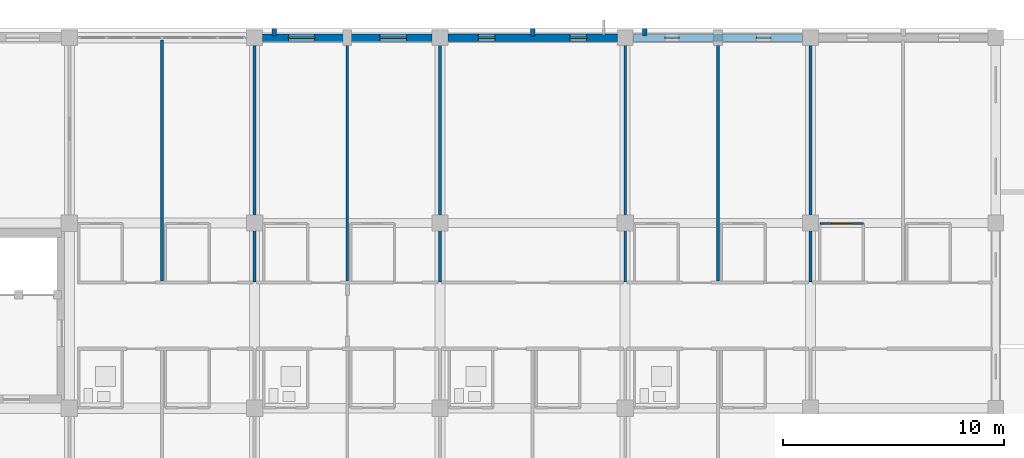
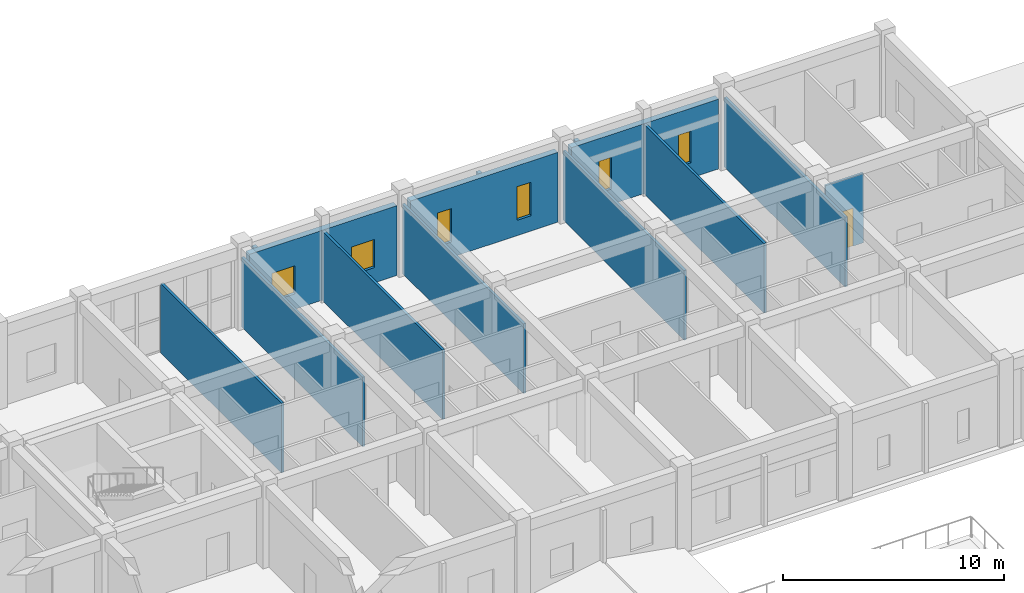
# One storey, part 134 of 158: 14 walls, 6 windows, 1 door, 7 openings.
"""IFC4 building model written with IfcOpenShell, lengths in metres."""

from ifc_helpers import new_model, si_unit, direction, frame, frame_2d, origin, place, context, subcontext, project, spatial, rectangle, extrude, material, layer, layer_set, type_object, element, fill, save


model = new_model("IFC4")

# Units and contexts
model_context = context("Model", 3, precision=1e-05, world=origin(), true_north=direction((0.0, 1.0)))
body_context = subcontext(model_context, "Body", "Model", "MODEL_VIEW")
ifc_project = project(units=[si_unit("LENGTHUNIT", "METRE"), si_unit("AREAUNIT", "SQUARE_METRE"), si_unit("VOLUMEUNIT", "CUBIC_METRE"), si_unit("PLANEANGLEUNIT", "RADIAN"), si_unit("MASSUNIT", "GRAM", prefix="KILO")], contexts=[model_context])

# Site, building, storey
site_placement = place(None, origin())
site = spatial("IfcSite", under=ifc_project, at=site_placement, CompositionType="ELEMENT")
building_placement = place(site_placement, origin())
building = spatial("IfcBuilding", under=site, at=building_placement, Name="Trelvath General Hospital", CompositionType="ELEMENT")
storey_placement = place(building_placement, frame((0.0, 0.0, 8.10009765625)))
storey = spatial("IfcBuildingStorey", under=building, at=storey_placement, Name="L02", CompositionType="ELEMENT", Elevation=8.10009765625)

# Walls
ifc_material_1 = material(Name="Precast concrete C40/50", Category="concrete")
ifc_layer_1 = layer(ifc_material_1, 0.199951171875)
ifc_layer_set_1 = layer_set([ifc_layer_1], Name="Precast concrete C40/50")
wall_type_1 = type_object("IfcWallType", Name="BriseSoleilRib 200", PredefinedType="ELEMENTEDWALL", material=ifc_layer_set_1)
for number, where, z_axis, x_axis, name in (
    (1, (101.693359375, 117.675048828125, 0.0), (0.0, 0.0, 1.0), (0.0, 1.0, 0.0), "Precast Concrete Brise-Soleil Rib Fin L02-210"),
    (2, (113.39990234375, 117.675048828125, 0.0), (0.0, 0.0, 1.0), (0.0, 1.0, 0.0), "Precast Concrete Brise-Soleil Rib Fin L02-214"),
    (3, (118.493408203125, 117.675048828125, 0.0), (0.0, 0.0, 1.0), (0.0, 1.0, 0.0), "Precast Concrete Brise-Soleil Rib Fin L02-218"),
):
    element("IfcWall", number, at=place(storey_placement, frame(where, z_axis=z_axis, x_axis=x_axis)), inside=storey, type_object=wall_type_1, Name=name, PredefinedType="ELEMENTEDWALL", context=body_context, shape_type="SweptSolid", body=[
        extrude(rectangle(XDim=0.33984375, YDim=0.199951171875, at=frame_2d((0.169921875, 0.0))), origin(), (0.0, 0.0, 1.0), 3.83984375),
    ])

# Wall, opening, door
ifc_material_2 = material(Name="Moisture-resistant tile partition")
ifc_layer_2 = layer(ifc_material_2, 0.110107421875)
ifc_layer_set_2 = layer_set([ifc_layer_2], Name="Moisture-resistant tile partition")
wall_type_2 = type_object("IfcWallType", Name="EnSuiteWetWall 110", PredefinedType="PARTITIONING", material=ifc_layer_set_2)
wall_1_placement = place(storey_placement, frame((126.419921875, 109.179931640625, 0.0), z_axis=(0.0, 0.0, 1.0), x_axis=(1.0, 0.0, 0.0)))
wall_1 = element("IfcWall", 4, at=wall_1_placement, inside=storey, type_object=wall_type_2, Name="En-Suite Bathroom N Partition L02-1021", PredefinedType="PARTITIONING", context=body_context, shape_type="SweptSolid", body=[
    extrude(rectangle(XDim=1.97998046875, YDim=0.110107421875, at=frame_2d((0.989990234375, 0.0))), origin(), (0.0, 0.0, 1.0), 3.83984375),
])
opening_1_placement = place(wall_1_placement, frame((0.5400390625, 0.0, 0.0)))
opening_1 = element("IfcOpeningElement", 5, at=opening_1_placement, cuts=wall_1, Name="Opening D-2-0794", PredefinedType="OPENING", context=body_context, shape_type="SweptSolid", body=[
    extrude(rectangle(XDim=0.89990234375, YDim=2.10009765625, at=frame_2d((0.449951171875, 1.050048828125))), frame((0.0, 0.06494140625, 0.0), z_axis=(0.0, -1.0, 0.0), x_axis=(1.0, 0.0, 0.0)), (0.0, 0.0, 1.0), 0.130126953125),
])
ifc_material_3 = material(Name="Moisture-sealed timber leaf", Category="wood")
door_type = type_object("IfcDoorType", Name="Door EnSuite 900x2100", OperationType="NOTDEFINED", PredefinedType="DOOR", material=ifc_material_3)
door_placement = place(opening_1_placement, origin())
door = element("IfcDoor", 6, at=door_placement, inside=storey, type_object=door_type, Name="En-Suite Bathroom N Door L02-794", OperationType="SINGLE_SWING_RIGHT", OverallHeight=2.10009765625, OverallWidth=0.89990234375, PredefinedType="DOOR", context=body_context, shape_type="SweptSolid", body=[
    extrude(rectangle(XDim=0.89990234375, YDim=2.10009765625, at=frame_2d((0.449951171875, 1.050048828125))), frame((0.0, 0.02490234375, 0.0), z_axis=(0.0, -1.0, 0.0), x_axis=(1.0, 0.0, 0.0)), (0.0, 0.0, 1.0), 0.050048828125),
])
fill(opening_1, door)

# Wall, openings, windows
ifc_material_4 = material(Name="Concrete C35/45", Category="concrete")
ifc_layer_3 = layer(ifc_material_4, 0.320068359375)
ifc_layer_set_3 = layer_set([ifc_layer_3], Name="Concrete C35/45")
wall_type_3 = type_object("IfcWallType", Name="ExtThermalWall 320", PredefinedType="SOLIDWALL", material=ifc_layer_set_3)
wall_2_placement = place(storey_placement, frame((101.155029296875, 117.60009765625, 0.0), z_axis=(0.0, 0.0, 1.0), x_axis=(1.0, 0.0, 0.0)))
wall_2 = element("IfcWall", 7, at=wall_2_placement, inside=storey, type_object=wall_type_3, Name="Exterior Concrete Wall L02-287", PredefinedType="SOLIDWALL", context=body_context, shape_type="SweptSolid", body=[
    extrude(rectangle(XDim=7.68994140625, YDim=0.320068359375, at=frame_2d((3.844970703125, 0.0))), origin(), (0.0, 0.0, 1.0), 3.85986328125),
])
opening_2_placement = place(wall_2_placement, frame((1.168701171875, 0.0, 0.85009765625)))
opening_2 = element("IfcOpeningElement", 8, at=opening_2_placement, cuts=wall_2, Name="Opening WN-2-451", PredefinedType="OPENING", context=body_context, shape_type="SweptSolid", body=[
    extrude(rectangle(XDim=1.199951171875, YDim=1.550048828125, at=frame_2d((0.60009765625, 0.77490234375))), frame((0.0, 0.169921875, 0.0), z_axis=(0.0, -1.0, 0.0), x_axis=(1.0, 0.0, 0.0)), (0.0, 0.0, 1.0), 0.340087890625),
])
opening_3_placement = place(wall_2_placement, frame((5.3212890625, 0.0, 0.85009765625)))
opening_3 = element("IfcOpeningElement", 9, at=opening_3_placement, cuts=wall_2, Name="Opening WN-2-452", PredefinedType="OPENING", context=body_context, shape_type="SweptSolid", body=[
    extrude(rectangle(XDim=1.199951171875, YDim=1.550048828125, at=frame_2d((0.60009765625, 0.77490234375))), frame((0.0, 0.169921875, 0.0), z_axis=(0.0, -1.0, 0.0), x_axis=(1.0, 0.0, 0.0)), (0.0, 0.0, 1.0), 0.340087890625),
])
ifc_material_5 = material(Name="Low-E laminated glass", Category="glass")
window_type_1 = type_object("IfcWindowType", Name="Window WardSouth 1200x1550", PartitioningType="SINGLE_PANEL", PredefinedType="WINDOW", material=ifc_material_5)
window_1_placement = place(opening_2_placement, origin())
window_1 = element("IfcWindow", 10, at=window_1_placement, inside=storey, type_object=window_type_1, Name="Solar Reveal Window L02-451", OverallHeight=1.550048828125, OverallWidth=1.199951171875, PartitioningType="SINGLE_PANEL", PredefinedType="WINDOW", context=body_context, shape_type="SweptSolid", body=[
    extrude(rectangle(XDim=1.199951171875, YDim=1.550048828125, at=frame_2d((0.60009765625, 0.77490234375))), frame((0.0, 0.030029296875, 0.0), z_axis=(0.0, -1.0, 0.0), x_axis=(1.0, 0.0, 0.0)), (0.0, 0.0, 1.0), 0.06005859375),
])
fill(opening_2, window_1)
window_2_placement = place(opening_3_placement, origin())
window_2 = element("IfcWindow", 11, at=window_2_placement, inside=storey, type_object=window_type_1, Name="Solar Reveal Window L02-452", OverallHeight=1.550048828125, OverallWidth=1.199951171875, PartitioningType="SINGLE_PANEL", PredefinedType="WINDOW", context=body_context, shape_type="SweptSolid", body=[
    extrude(rectangle(XDim=1.199951171875, YDim=1.550048828125, at=frame_2d((0.60009765625, 0.77490234375))), frame((0.0, 0.030029296875, 0.0), z_axis=(0.0, -1.0, 0.0), x_axis=(1.0, 0.0, 0.0)), (0.0, 0.0, 1.0), 0.06005859375),
])
fill(opening_3, window_2)

wall_3_placement = place(storey_placement, frame((109.554931640625, 117.60009765625, 0.0), z_axis=(0.0, 0.0, 1.0), x_axis=(1.0, 0.0, 0.0)))
wall_3 = element("IfcWall", 12, at=wall_3_placement, inside=storey, type_object=wall_type_3, Name="Exterior Concrete Wall L02-291", PredefinedType="SOLIDWALL", context=body_context, shape_type="SweptSolid", body=[
    extrude(rectangle(XDim=7.690185546875, YDim=0.320068359375, at=frame_2d((3.84521484375, 0.0))), origin(), (0.0, 0.0, 1.0), 3.85986328125),
])
opening_4_placement = place(wall_3_placement, frame((1.393798828125, 0.0, 0.85009765625)))
opening_4 = element("IfcOpeningElement", 13, at=opening_4_placement, cuts=wall_3, Name="Opening WN-2-459", PredefinedType="OPENING", context=body_context, shape_type="SweptSolid", body=[
    extrude(rectangle(XDim=0.75, YDim=1.85009765625, at=frame_2d((0.375, 0.925048828125))), frame((0.0, 0.169921875, 0.0), z_axis=(0.0, -1.0, 0.0), x_axis=(1.0, 0.0, 0.0)), (0.0, 0.0, 1.0), 0.340087890625),
])
opening_5_placement = place(wall_3_placement, frame((5.54638671875, 0.0, 0.85009765625)))
opening_5 = element("IfcOpeningElement", 14, at=opening_5_placement, cuts=wall_3, Name="Opening WN-2-460", PredefinedType="OPENING", context=body_context, shape_type="SweptSolid", body=[
    extrude(rectangle(XDim=0.75, YDim=1.85009765625, at=frame_2d((0.375, 0.925048828125))), frame((0.0, 0.169921875, 0.0), z_axis=(0.0, -1.0, 0.0), x_axis=(1.0, 0.0, 0.0)), (0.0, 0.0, 1.0), 0.340087890625),
])
ifc_material_6 = material(Name="Low-E laminated glass", Category="glass")
window_type_2 = type_object("IfcWindowType", Name="Window SunSlot 750x1850", PartitioningType="SINGLE_PANEL", PredefinedType="WINDOW", material=ifc_material_6)
window_3_placement = place(opening_4_placement, origin())
window_3 = element("IfcWindow", 15, at=window_3_placement, inside=storey, type_object=window_type_2, Name="Solar Reveal Window L02-459", OverallHeight=1.85009765625, OverallWidth=0.75, PartitioningType="SINGLE_PANEL", PredefinedType="WINDOW", context=body_context, shape_type="SweptSolid", body=[
    extrude(rectangle(XDim=0.75, YDim=1.85009765625, at=frame_2d((0.375, 0.925048828125))), frame((0.0, 0.030029296875, 0.0), z_axis=(0.0, -1.0, 0.0), x_axis=(1.0, 0.0, 0.0)), (0.0, 0.0, 1.0), 0.06005859375),
])
fill(opening_4, window_3)
window_4_placement = place(opening_5_placement, origin())
window_4 = element("IfcWindow", 16, at=window_4_placement, inside=storey, type_object=window_type_2, Name="Solar Reveal Window L02-460", OverallHeight=1.85009765625, OverallWidth=0.75, PartitioningType="SINGLE_PANEL", PredefinedType="WINDOW", context=body_context, shape_type="SweptSolid", body=[
    extrude(rectangle(XDim=0.75, YDim=1.85009765625, at=frame_2d((0.375, 0.925048828125))), frame((0.0, 0.030029296875, 0.0), z_axis=(0.0, -1.0, 0.0), x_axis=(1.0, 0.0, 0.0)), (0.0, 0.0, 1.0), 0.06005859375),
])
fill(opening_5, window_4)

wall_4_placement = place(storey_placement, frame((117.955078125, 117.60009765625, 0.0), z_axis=(0.0, 0.0, 1.0), x_axis=(1.0, 0.0, 0.0)))
wall_4 = element("IfcWall", 17, at=wall_4_placement, inside=storey, type_object=wall_type_3, Name="Exterior Concrete Wall L02-295", PredefinedType="SOLIDWALL", context=body_context, shape_type="SweptSolid", body=[
    extrude(rectangle(XDim=7.68994140625, YDim=0.320068359375, at=frame_2d((3.844970703125, 0.0))), origin(), (0.0, 0.0, 1.0), 3.85986328125),
])
opening_6_placement = place(wall_4_placement, frame((1.443603515625, 0.0, 0.85009765625)))
opening_6 = element("IfcOpeningElement", 18, at=opening_6_placement, cuts=wall_4, Name="Opening WN-2-467", PredefinedType="OPENING", context=body_context, shape_type="SweptSolid", body=[
    extrude(rectangle(XDim=0.64990234375, YDim=1.75, at=frame_2d((0.324951171875, 0.875))), frame((0.0, 0.169921875, 0.0), z_axis=(0.0, -1.0, 0.0), x_axis=(1.0, 0.0, 0.0)), (0.0, 0.0, 1.0), 0.340087890625),
])
opening_7_placement = place(wall_4_placement, frame((5.59619140625, 0.0, 0.85009765625)))
opening_7 = element("IfcOpeningElement", 19, at=opening_7_placement, cuts=wall_4, Name="Opening WN-2-468", PredefinedType="OPENING", context=body_context, shape_type="SweptSolid", body=[
    extrude(rectangle(XDim=0.64990234375, YDim=1.75, at=frame_2d((0.324951171875, 0.875))), frame((0.0, 0.169921875, 0.0), z_axis=(0.0, -1.0, 0.0), x_axis=(1.0, 0.0, 0.0)), (0.0, 0.0, 1.0), 0.340087890625),
])
ifc_material_7 = material(Name="Low-E laminated glass", Category="glass")
window_type_3 = type_object("IfcWindowType", Name="Window SunSlot 650x1750", PartitioningType="SINGLE_PANEL", PredefinedType="WINDOW", material=ifc_material_7)
window_5_placement = place(opening_6_placement, origin())
window_5 = element("IfcWindow", 20, at=window_5_placement, inside=storey, type_object=window_type_3, Name="Solar Reveal Window L02-467", OverallHeight=1.75, OverallWidth=0.64990234375, PartitioningType="SINGLE_PANEL", PredefinedType="WINDOW", context=body_context, shape_type="SweptSolid", body=[
    extrude(rectangle(XDim=0.64990234375, YDim=1.75, at=frame_2d((0.324951171875, 0.875))), frame((0.0, 0.030029296875, 0.0), z_axis=(0.0, -1.0, 0.0), x_axis=(1.0, 0.0, 0.0)), (0.0, 0.0, 1.0), 0.06005859375),
])
fill(opening_6, window_5)
window_6_placement = place(opening_7_placement, origin())
window_6 = element("IfcWindow", 21, at=window_6_placement, inside=storey, type_object=window_type_3, Name="Solar Reveal Window L02-468", OverallHeight=1.75, OverallWidth=0.64990234375, PartitioningType="SINGLE_PANEL", PredefinedType="WINDOW", context=body_context, shape_type="SweptSolid", body=[
    extrude(rectangle(XDim=0.64990234375, YDim=1.75, at=frame_2d((0.324951171875, 0.875))), frame((0.0, 0.030029296875, 0.0), z_axis=(0.0, -1.0, 0.0), x_axis=(1.0, 0.0, 0.0)), (0.0, 0.0, 1.0), 0.06005859375),
])
fill(opening_7, window_6)

# Walls
ifc_material_8 = material(Name="Gypsum acoustic steel-stud partition", Category="steel")
ifc_layer_4 = layer(ifc_material_8, 0.1298828125)
ifc_layer_set_4 = layer_set([ifc_layer_4], Name="Gypsum acoustic steel-stud partition")
wall_type_4 = type_object("IfcWallType", Name="WardPartition 130", PredefinedType="PARTITIONING", material=ifc_layer_set_4)
wall_5_placement = place(storey_placement, frame((96.60009765625, 106.570068359375, 0.0), z_axis=(0.0, 0.0, 1.0), x_axis=(0.0, 1.0, 0.0)))
element("IfcWall", 22, at=wall_5_placement, inside=storey, type_object=wall_type_4, Name="Room Dividing Partition N L02-958", PredefinedType="PARTITIONING", context=body_context, shape_type="SweptSolid", body=[
    extrude(rectangle(XDim=10.929931640625, YDim=0.1298828125, at=frame_2d((5.46484375, 0.0))), origin(), (0.0, 0.0, 1.0), 3.83984375),
])
wall_6_placement = place(storey_placement, frame((100.800048828125, 106.52001953125, 0.0), z_axis=(0.0, 0.0, 1.0), x_axis=(0.0, 1.0, 0.0)))
element("IfcWall", 23, at=wall_6_placement, inside=storey, type_object=wall_type_4, Name="Inter-Bay Ward Partition N L02-966", PredefinedType="PARTITIONING", context=body_context, shape_type="SweptSolid", body=[
    extrude(rectangle(XDim=10.93994140625, YDim=0.1298828125, at=frame_2d((5.469970703125, 0.0))), origin(), (0.0, 0.0, 1.0), 3.83984375),
])
wall_7_placement = place(storey_placement, frame((105.0, 106.570068359375, 0.0), z_axis=(0.0, 0.0, 1.0), x_axis=(0.0, 1.0, 0.0)))
element("IfcWall", 24, at=wall_7_placement, inside=storey, type_object=wall_type_4, Name="Room Dividing Partition N L02-977", PredefinedType="PARTITIONING", context=body_context, shape_type="SweptSolid", body=[
    extrude(rectangle(XDim=10.929931640625, YDim=0.1298828125, at=frame_2d((5.46484375, 0.0))), origin(), (0.0, 0.0, 1.0), 3.83984375),
])
for number, where, z_axis, x_axis, name in (
    (25, (109.199951171875, 106.52001953125, 0.0), (0.0, 0.0, 1.0), (0.0, 1.0, 0.0), "Inter-Bay Ward Partition N L02-986"),
    (26, (117.60009765625, 106.52001953125, 0.0), (0.0, 0.0, 1.0), (0.0, 1.0, 0.0), "Inter-Bay Ward Partition N L02-997"),
):
    element("IfcWall", number, at=place(storey_placement, frame(where, z_axis=z_axis, x_axis=x_axis)), inside=storey, type_object=wall_type_4, Name=name, PredefinedType="PARTITIONING", context=body_context, shape_type="SweptSolid", body=[
        extrude(rectangle(XDim=10.93994140625, YDim=0.1298828125, at=frame_2d((5.469970703125, 0.0))), origin(), (0.0, 0.0, 1.0), 3.83984375),
    ])
wall_8_placement = place(storey_placement, frame((121.800048828125, 106.570068359375, 0.0), z_axis=(0.0, 0.0, 1.0), x_axis=(0.0, 1.0, 0.0)))
element("IfcWall", 27, at=wall_8_placement, inside=storey, type_object=wall_type_4, Name="Room Dividing Partition N L02-1007", PredefinedType="PARTITIONING", context=body_context, shape_type="SweptSolid", body=[
    extrude(rectangle(XDim=10.929931640625, YDim=0.1298828125, at=frame_2d((5.46484375, 0.0))), origin(), (0.0, 0.0, 1.0), 3.83984375),
])
wall_9_placement = place(storey_placement, frame((126.0, 106.52001953125, 0.0), z_axis=(0.0, 0.0, 1.0), x_axis=(0.0, 1.0, 0.0)))
element("IfcWall", 28, at=wall_9_placement, inside=storey, type_object=wall_type_4, Name="Inter-Bay Ward Partition N L02-1015", PredefinedType="PARTITIONING", context=body_context, shape_type="SweptSolid", body=[
    extrude(rectangle(XDim=10.93994140625, YDim=0.1298828125, at=frame_2d((5.469970703125, 0.0))), origin(), (0.0, 0.0, 1.0), 3.83984375),
])

save(model, "model.ifc")
